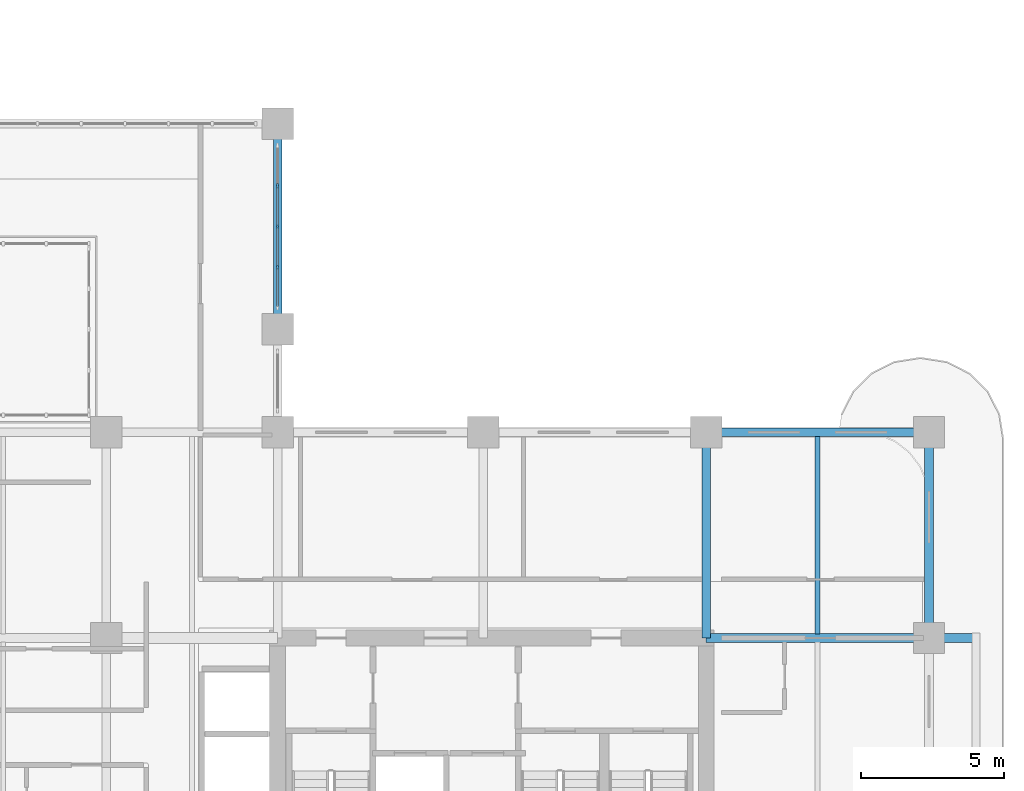
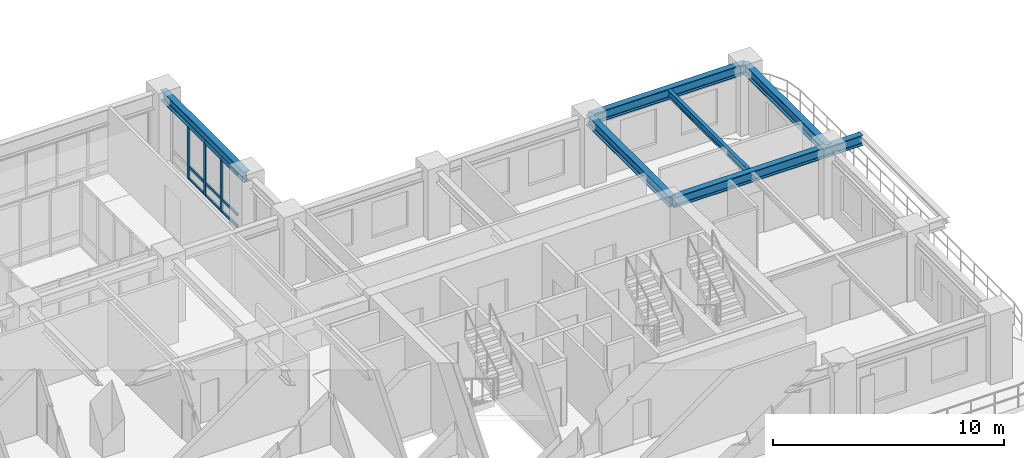
# One storey, part 5 of 22: 12 members, 6 beams, 1 element without a shape of its own.
"""IFC4 building model written with IfcOpenShell, lengths in metres."""

from ifc_helpers import new_model, si_unit, derived_unit, direction, frame, origin, origin_2d, place, context, subcontext, project, spatial, rectangle, i_section, extrude, source, transform, mapped, material, layer, layer_set, material_profile, profile_set, type_object, type_shapes, element, aggregate, save


model = new_model("IFC4")

# Units and contexts
model_context = context("Model", 3, precision=1e-05, world=origin(), true_north=direction((0.0, 1.0)))
body_context = subcontext(model_context, "Body", "Model", "MODEL_VIEW")
ifc_project = project(units=[si_unit("LENGTHUNIT", "METRE"), si_unit("AREAUNIT", "SQUARE_METRE"), si_unit("VOLUMEUNIT", "CUBIC_METRE"), si_unit("PLANEANGLEUNIT", "RADIAN"), si_unit("MASSUNIT", "GRAM", prefix="KILO"), si_unit("THERMODYNAMICTEMPERATUREUNIT", "KELVIN"), si_unit("POWERUNIT", "WATT"), derived_unit("THERMALTRANSMITTANCEUNIT", [(si_unit("POWERUNIT", "WATT"), 1), (si_unit("AREAUNIT", "SQUARE_METRE"), -1), (si_unit("THERMODYNAMICTEMPERATUREUNIT", "KELVIN"), -1)])], contexts=[model_context])

# Site, building, storey
site_placement = place(None, origin())
site = spatial("IfcSite", under=ifc_project, at=site_placement, CompositionType="ELEMENT")
building_placement = place(site_placement, origin())
building = spatial("IfcBuilding", under=site, at=building_placement, Name="Zahravan Archway Hotel and Residences", CompositionType="ELEMENT")
storey_placement = place(building_placement, frame((0.0, 0.0, 91.60009765625)))
storey = spatial("IfcBuildingStorey", under=building, at=storey_placement, Name="L22", CompositionType="ELEMENT", Elevation=91.60009765625)

# Beams
ifc_material_1 = material(Name="Structural Steel S355JR", Category="steel")
ifc_material_profile_1 = material_profile(ifc_material_1, i_section(OverallWidth=0.300048828125, OverallDepth=0.550048828125, WebThickness=0.014892578125, FlangeThickness=0.029052734375, FilletRadius=0.027099609375, at=origin_2d()), Name="HEB 550", Category="steel")
ifc_profile_set_1 = profile_set([ifc_material_profile_1], Name="Structural Steel S355JR")
beam_type_1 = type_object("IfcBeamType", Name="BM-PRI-HEB550", PredefinedType="BEAM", material=ifc_profile_set_1)
shared_shape_1 = source(origin(), body_context, "Body", "SweptSolid", [
    extrude(i_section(OverallWidth=0.300048828125, OverallDepth=0.550048828125, WebThickness=0.014892578125, FlangeThickness=0.029052734375, FilletRadius=0.027099609375, at=origin_2d()), origin(), (0.0, 0.0, 1.0), 7.2001953125),
])
type_shapes(beam_type_1, [shared_shape_1])
for number, where, z_axis, x_axis, name in (
    (1, (49.800048828125, 14.39990234375, 3.1748046875), (0.0, 1.0, 0.0), (-1.0, 0.0, 0.0), "L22 Primary Girder NS-49"),
    (2, (57.60009765625, 14.39990234375, 3.1748046875), (0.0, 1.0, 0.0), (-1.0, 0.0, 0.0), "L22 Primary Girder NS-52"),
):
    element("IfcBeam", number, at=place(storey_placement, frame(where, z_axis=z_axis, x_axis=x_axis)), inside=storey, type_object=beam_type_1, Name=name, PredefinedType="BEAM", context=body_context, shape_type="MappedRepresentation", body=[
        mapped(shared_shape_1, transform((0.0, 0.0, 0.0), scale=1.0)),
    ])
shared_shape_2 = source(origin(), body_context, "Body", "SweptSolid", [
    extrude(i_section(OverallWidth=0.300048828125, OverallDepth=0.550048828125, WebThickness=0.014892578125, FlangeThickness=0.029052734375, FilletRadius=0.027099609375, at=origin_2d()), origin(), (0.0, 0.0, 1.0), 7.199951171875),
])
beam_1_placement = place(storey_placement, frame((34.800048828125, 25.199951171875, 3.1748046875), z_axis=(0.0, 1.0, 0.0), x_axis=(-1.0, 0.0, 0.0)))
element("IfcBeam", 3, at=beam_1_placement, inside=storey, type_object=beam_type_1, Name="L22 Primary Girder NS-47", PredefinedType="BEAM", context=body_context, shape_type="MappedRepresentation", body=[
    mapped(shared_shape_2, transform((0.0, 0.0, 0.0), scale=1.0)),
])
shared_shape_3 = source(origin(), body_context, "Body", "SweptSolid", [
    extrude(i_section(OverallWidth=0.300048828125, OverallDepth=0.550048828125, WebThickness=0.014892578125, FlangeThickness=0.029052734375, FilletRadius=0.027099609375, at=origin_2d()), origin(), (0.0, 0.0, 1.0), 7.800048828125),
])
beam_2_placement = place(storey_placement, frame((49.800048828125, 21.60009765625, 3.1748046875), z_axis=(1.0, 0.0, 0.0), x_axis=(0.0, 1.0, 0.0)))
element("IfcBeam", 4, at=beam_2_placement, inside=storey, type_object=beam_type_1, Name="L22 Primary Girder EW-19", PredefinedType="BEAM", context=body_context, shape_type="MappedRepresentation", body=[
    mapped(shared_shape_3, transform((0.0, 0.0, 0.0), scale=1.0)),
])
shared_shape_4 = source(origin(), body_context, "Body", "SweptSolid", [
    extrude(i_section(OverallWidth=0.300048828125, OverallDepth=0.550048828125, WebThickness=0.014892578125, FlangeThickness=0.029052734375, FilletRadius=0.027099609375, at=origin_2d()), origin(), (0.0, 0.0, 1.0), 9.449951171875),
])
beam_3_placement = place(storey_placement, frame((49.800048828125, 14.39990234375, 3.1748046875), z_axis=(1.0, 0.0, 0.0), x_axis=(0.0, 1.0, 0.0)))
element("IfcBeam", 5, at=beam_3_placement, inside=storey, type_object=beam_type_1, Name="L22 Primary Girder EW-13", PredefinedType="BEAM", context=body_context, shape_type="MappedRepresentation", body=[
    mapped(shared_shape_4, transform((0.0, 0.0, 0.0), scale=1.0)),
])
ifc_material_profile_2 = material_profile(ifc_material_1, i_section(OverallWidth=0.169921875, OverallDepth=0.360107421875, WebThickness=0.008056640625, FlangeThickness=0.0126953125, FilletRadius=0.01806640625, at=origin_2d()), Name="IPE 360", Category="steel")
ifc_profile_set_2 = profile_set([ifc_material_profile_2], Name="Structural Steel S355JR")
beam_type_2 = type_object("IfcBeamType", Name="BM-JST-IPE360", PredefinedType="JOIST", material=ifc_profile_set_2)
shared_shape_5 = source(origin(), body_context, "Body", "SweptSolid", [
    extrude(i_section(OverallWidth=0.169921875, OverallDepth=0.360107421875, WebThickness=0.008056640625, FlangeThickness=0.0126953125, FilletRadius=0.01806640625, at=origin_2d()), origin(), (0.0, 0.0, 1.0), 6.90380859375),
])
beam_4_placement = place(storey_placement, frame((53.699951171875, 14.548095703125, 3.27001953125), z_axis=(0.0, 1.0, 0.0), x_axis=(-1.0, 0.0, 0.0)))
element("IfcBeam", 6, at=beam_4_placement, inside=storey, type_object=beam_type_2, Name="L22 Composite Floor Joist 12", PredefinedType="JOIST", context=body_context, shape_type="MappedRepresentation", body=[
    mapped(shared_shape_5, transform((0.0, 0.0, 0.0), scale=1.0)),
])

# Curtain wall, members
ifc_material_2 = material(Name="Bronze-Anodized Unitised Aluminium & Low-E Glass", Category="aluminium")
ifc_layer = layer(ifc_material_2, 0.179931640625, Name="Bronze-Anodized Unitised Aluminium & Low-E Glass", Category="aluminium")
ifc_layer_set = layer_set([ifc_layer], Name="Bronze-Anodized Unitised Aluminium & Low-E Glass")
curtain_wall_type = type_object("IfcCurtainWallType", Name="CW-ATR-GLAZ", PredefinedType="NOTDEFINED", material=ifc_layer_set)
curtain_wall_placement = place(storey_placement, origin())
curtain_wall = element("IfcCurtainWall", 7, at=curtain_wall_placement, inside=storey, type_object=curtain_wall_type, Name="L22 Curtain Wall CW-L22-HNG-E-2", PredefinedType="NOTDEFINED")
ifc_material_3 = material(Name="Bronze-Anodized Extruded Aluminium", Category="aluminium")
ifc_material_profile_3 = material_profile(ifc_material_3, rectangle(XDim=0.080078125, YDim=0.139892578125, at=origin_2d()), Name="TRN 80x140", Category="aluminium")
ifc_profile_set_3 = profile_set([ifc_material_profile_3], Name="Bronze-Anodized Extruded Aluminium")
member_type_1 = type_object("IfcMemberType", Name="CWM-TRN-140", PredefinedType="USERDEFINED", material=ifc_profile_set_3)
shared_shape_6 = source(origin(), body_context, "Body", "SweptSolid", [
    extrude(rectangle(XDim=0.080078125, YDim=0.139892578125, at=origin_2d()), origin(), (0.0, 0.0, 1.0), 1.33984375),
])
member_1_placement = place(storey_placement, frame((34.800048828125, 28.840087890625, 0.06982421875), z_axis=(0.0, 1.0, 0.0), x_axis=(-1.0, 0.0, 0.0)))
member_1 = element("IfcMember", 8, at=member_1_placement, type_object=member_type_1, Name="CW-L22-HNG-E-2 Transom 2-1", ObjectType="TRANSOM", PredefinedType="USERDEFINED", context=body_context, shape_type="MappedRepresentation", body=[
    mapped(shared_shape_6, transform((0.0, 0.0, 0.0), scale=1.0)),
])
member_2_placement = place(storey_placement, frame((34.800048828125, 28.840087890625, 0.6923828125), z_axis=(0.0, 1.0, 0.0), x_axis=(-1.0, 0.0, 0.0)))
member_2 = element("IfcMember", 9, at=member_2_placement, type_object=member_type_1, Name="CW-L22-HNG-E-2 Transom 2-2", ObjectType="TRANSOM", PredefinedType="USERDEFINED", context=body_context, shape_type="MappedRepresentation", body=[
    mapped(shared_shape_6, transform((0.0, 0.0, 0.0), scale=1.0)),
])
member_3_placement = place(storey_placement, frame((34.800048828125, 28.840087890625, 2.81494140625), z_axis=(0.0, 1.0, 0.0), x_axis=(-1.0, 0.0, 0.0)))
member_3 = element("IfcMember", 10, at=member_3_placement, type_object=member_type_1, Name="CW-L22-HNG-E-2 Transom 2-3", ObjectType="TRANSOM", PredefinedType="USERDEFINED", context=body_context, shape_type="MappedRepresentation", body=[
    mapped(shared_shape_6, transform((0.0, 0.0, 0.0), scale=1.0)),
])
shared_shape_7 = source(origin(), body_context, "Body", "SweptSolid", [
    extrude(rectangle(XDim=0.080078125, YDim=0.139892578125, at=origin_2d()), origin(), (0.0, 0.0, 1.0), 1.340087890625),
])
member_4_placement = place(storey_placement, frame((34.800048828125, 26.0, 0.06982421875), z_axis=(0.0, 1.0, 0.0), x_axis=(-1.0, 0.0, 0.0)))
member_4 = element("IfcMember", 11, at=member_4_placement, type_object=member_type_1, Name="CW-L22-HNG-E-2 Transom 0-1", ObjectType="TRANSOM", PredefinedType="USERDEFINED", context=body_context, shape_type="MappedRepresentation", body=[
    mapped(shared_shape_7, transform((0.0, 0.0, 0.0), scale=1.0)),
])
member_5_placement = place(storey_placement, frame((34.800048828125, 26.0, 0.6923828125), z_axis=(0.0, 1.0, 0.0), x_axis=(-1.0, 0.0, 0.0)))
member_5 = element("IfcMember", 12, at=member_5_placement, type_object=member_type_1, Name="CW-L22-HNG-E-2 Transom 0-2", ObjectType="TRANSOM", PredefinedType="USERDEFINED", context=body_context, shape_type="MappedRepresentation", body=[
    mapped(shared_shape_7, transform((0.0, 0.0, 0.0), scale=1.0)),
])
member_6_placement = place(storey_placement, frame((34.800048828125, 26.0, 2.81494140625), z_axis=(0.0, 1.0, 0.0), x_axis=(-1.0, 0.0, 0.0)))
member_6 = element("IfcMember", 13, at=member_6_placement, type_object=member_type_1, Name="CW-L22-HNG-E-2 Transom 0-3", ObjectType="TRANSOM", PredefinedType="USERDEFINED", context=body_context, shape_type="MappedRepresentation", body=[
    mapped(shared_shape_7, transform((0.0, 0.0, 0.0), scale=1.0)),
])
member_7_placement = place(storey_placement, frame((34.800048828125, 27.419921875, 0.06982421875), z_axis=(0.0, 1.0, 0.0), x_axis=(-1.0, 0.0, 0.0)))
member_7 = element("IfcMember", 14, at=member_7_placement, type_object=member_type_1, Name="CW-L22-HNG-E-2 Transom 1-1", ObjectType="TRANSOM", PredefinedType="USERDEFINED", context=body_context, shape_type="MappedRepresentation", body=[
    mapped(shared_shape_7, transform((0.0, 0.0, 0.0), scale=1.0)),
])
member_8_placement = place(storey_placement, frame((34.800048828125, 27.419921875, 0.6923828125), z_axis=(0.0, 1.0, 0.0), x_axis=(-1.0, 0.0, 0.0)))
member_8 = element("IfcMember", 15, at=member_8_placement, type_object=member_type_1, Name="CW-L22-HNG-E-2 Transom 1-2", ObjectType="TRANSOM", PredefinedType="USERDEFINED", context=body_context, shape_type="MappedRepresentation", body=[
    mapped(shared_shape_7, transform((0.0, 0.0, 0.0), scale=1.0)),
])
member_9_placement = place(storey_placement, frame((34.800048828125, 27.419921875, 2.81494140625), z_axis=(0.0, 1.0, 0.0), x_axis=(-1.0, 0.0, 0.0)))
member_9 = element("IfcMember", 16, at=member_9_placement, type_object=member_type_1, Name="CW-L22-HNG-E-2 Transom 1-3", ObjectType="TRANSOM", PredefinedType="USERDEFINED", context=body_context, shape_type="MappedRepresentation", body=[
    mapped(shared_shape_7, transform((0.0, 0.0, 0.0), scale=1.0)),
])
ifc_material_profile_4 = material_profile(ifc_material_3, rectangle(XDim=0.080078125, YDim=0.159912109375, at=origin_2d()), Name="MUL 80x160", Category="aluminium")
ifc_profile_set_4 = profile_set([ifc_material_profile_4], Name="Bronze-Anodized Extruded Aluminium")
member_type_2 = type_object("IfcMemberType", Name="CWM-MUL-160", PredefinedType="MULLION", material=ifc_profile_set_4)
shared_shape_8 = source(origin(), body_context, "Body", "SweptSolid", [
    extrude(rectangle(XDim=0.080078125, YDim=0.159912109375, at=origin_2d()), origin(), (0.0, 0.0, 1.0), 2.885009765625),
])
member_10_placement = place(storey_placement, frame((34.800048828125, 27.3798828125, 0.0), z_axis=(0.0, 0.0, 1.0), x_axis=(1.0, 0.0, 0.0)))
member_10 = element("IfcMember", 17, at=member_10_placement, type_object=member_type_2, Name="CW-L22-HNG-E-2 Mullion 1", PredefinedType="MULLION", context=body_context, shape_type="MappedRepresentation", body=[
    mapped(shared_shape_8, transform((0.0, 0.0, 0.0), scale=1.0)),
])
member_11_placement = place(storey_placement, frame((34.800048828125, 28.800048828125, 0.0), z_axis=(0.0, 0.0, 1.0), x_axis=(1.0, 0.0, 0.0)))
member_11 = element("IfcMember", 18, at=member_11_placement, type_object=member_type_2, Name="CW-L22-HNG-E-2 Mullion 2", PredefinedType="MULLION", context=body_context, shape_type="MappedRepresentation", body=[
    mapped(shared_shape_8, transform((0.0, 0.0, 0.0), scale=1.0)),
])
member_12_placement = place(storey_placement, frame((34.800048828125, 30.219970703125, 0.0), z_axis=(0.0, 0.0, 1.0), x_axis=(1.0, 0.0, 0.0)))
member_12 = element("IfcMember", 19, at=member_12_placement, type_object=member_type_2, Name="CW-L22-HNG-E-2 Mullion 3", PredefinedType="MULLION", context=body_context, shape_type="MappedRepresentation", body=[
    mapped(shared_shape_8, transform((0.0, 0.0, 0.0), scale=1.0)),
])
aggregate(curtain_wall, [member_10, member_11, member_12, member_4, member_5, member_6, member_7, member_8, member_9, member_1, member_2, member_3])

save(model, "model.ifc")
